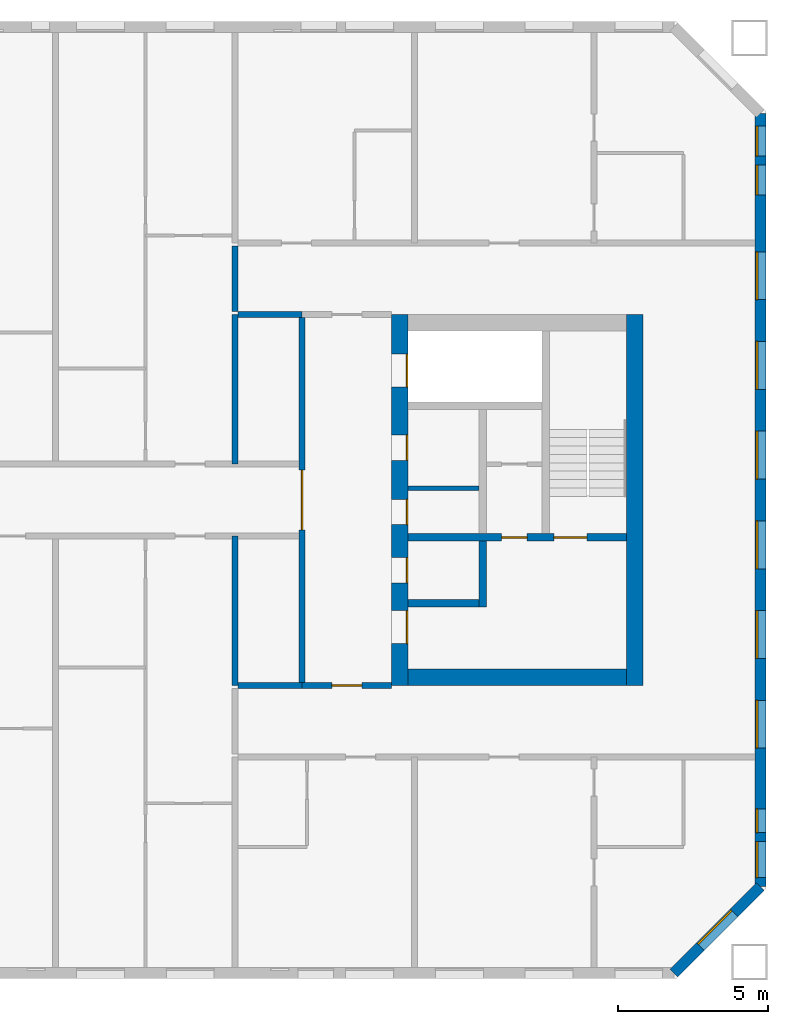
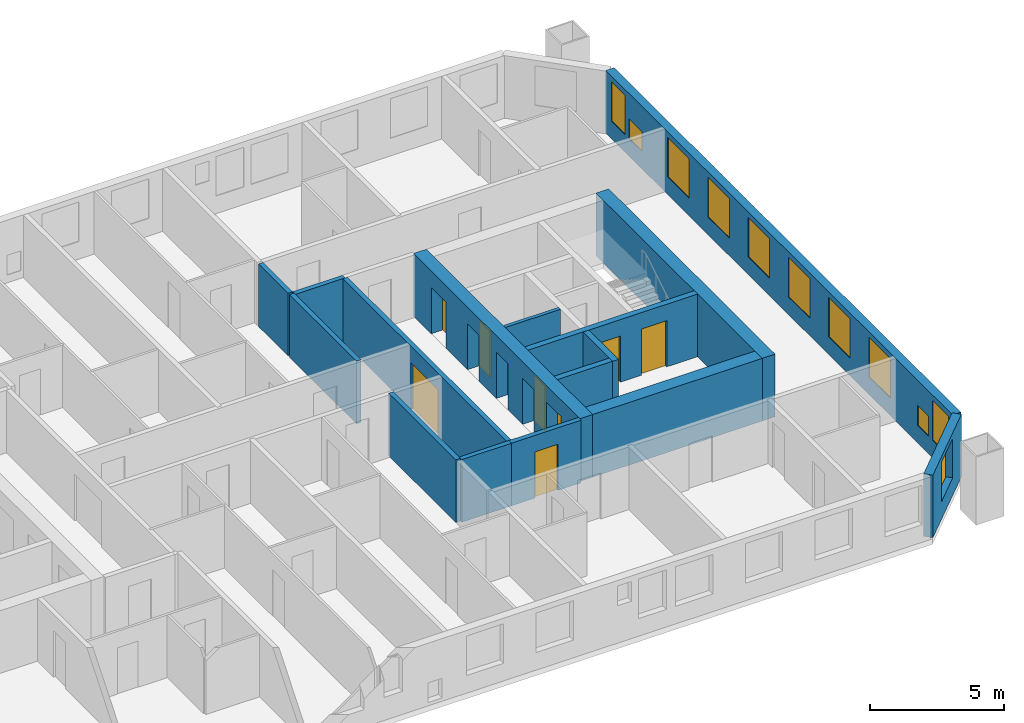
# One storey, part 13 of 16: 16 walls, 11 windows, 9 doors, 20 openings.
"""IFC4 building model written with IfcOpenShell, lengths in metres."""

from ifc_helpers import new_model, si_unit, direction, frame, frame_2d, origin, place, context, subcontext, project, spatial, rectangle, extrude, material, layer, layer_set, type_object, element, fill, save


model = new_model("IFC4")

# Units and contexts
model_context = context("Model", 3, precision=1e-05, world=origin(), true_north=direction((0.0, 1.0)))
body_context = subcontext(model_context, "Body", "Model", "MODEL_VIEW")
ifc_project = project(units=[si_unit("LENGTHUNIT", "METRE"), si_unit("AREAUNIT", "SQUARE_METRE"), si_unit("VOLUMEUNIT", "CUBIC_METRE"), si_unit("PLANEANGLEUNIT", "RADIAN"), si_unit("MASSUNIT", "GRAM", prefix="KILO")], contexts=[model_context])

# Site, building, storey
site_placement = place(None, origin())
site = spatial("IfcSite", under=ifc_project, at=site_placement, CompositionType="ELEMENT")
building_placement = place(site_placement, origin())
building = spatial("IfcBuilding", under=site, at=building_placement, Name="Tuart Gate Housing", CompositionType="ELEMENT")
storey_placement = place(building_placement, frame((0.0, 0.0, 136.10009765625)))
storey = spatial("IfcBuildingStorey", under=building, at=storey_placement, Name="L38", CompositionType="ELEMENT", Elevation=136.10009765625)

# Wall, opening, window
ifc_material_1 = material(Name="Brick", Category="masonry")
ifc_layer_1 = layer(ifc_material_1, 0.360107421875)
ifc_layer_set_1 = layer_set([ifc_layer_1], Name="Brick pier and spandrel wall 360")
wall_type_1 = type_object("IfcWallType", Name="Brick pier and spandrel wall 360", PredefinedType="STANDARD", material=ifc_layer_set_1)
wall_1_placement = place(storey_placement, frame((169.67529296875, 54.179931640625, 0.0), z_axis=(0.0, 0.0, 1.0), x_axis=(0.707106781187, 0.707106781187, 0.0)))
wall_1 = element("IfcWall", 1, at=wall_1_placement, inside=storey, type_object=wall_type_1, Name="External wall B-SE L38", PredefinedType="STANDARD", context=body_context, shape_type="SweptSolid", body=[
    extrude(rectangle(XDim=4.09375, YDim=0.360107421875, at=frame_2d((2.046875, 0.0))), origin(), (0.0, 0.0, 1.0), 2.849853515625),
])
opening_1_placement = place(wall_1_placement, frame((1.2470703125, 0.0, 0.800048828125)))
opening_1 = element("IfcOpeningElement", 2, at=opening_1_placement, cuts=wall_1, Name="Opening W1", PredefinedType="OPENING", context=body_context, shape_type="SweptSolid", body=[
    extrude(rectangle(XDim=1.60009765625, YDim=1.800048828125, at=frame_2d((0.800048828125, 0.89990234375))), frame((0.0, 0.18994140625, 0.0), z_axis=(0.0, -1.0, 0.0), x_axis=(1.0, 0.0, 0.0)), (0.0, 0.0, 1.0), 0.380126953125),
])
ifc_material_2 = material(Name="Aluminium frame with clear glass", Category="aluminium")
window_type_1 = type_object("IfcWindowType", Name="Punched window 1600 x 1800", PartitioningType="SINGLE_PANEL", PredefinedType="WINDOW", material=ifc_material_2)
window_1_placement = place(opening_1_placement, origin())
window_1 = element("IfcWindow", 3, at=window_1_placement, inside=storey, type_object=window_type_1, Name="Window W1", OverallHeight=1.800048828125, OverallWidth=1.60009765625, PartitioningType="SINGLE_PANEL", PredefinedType="WINDOW", context=body_context, shape_type="SweptSolid", body=[
    extrude(rectangle(XDim=1.60009765625, YDim=1.800048828125, at=frame_2d((0.800048828125, 0.89990234375))), frame((0.0, 0.150146484375, 0.0), z_axis=(0.0, -1.0, 0.0), x_axis=(1.0, 0.0, 0.0)), (0.0, 0.0, 1.0), 0.06005859375),
])
fill(opening_1, window_1)

# Wall, openings, windows
wall_2_placement = place(storey_placement, frame((172.570068359375, 57.07470703125, 0.0), z_axis=(0.0, 0.0, 1.0), x_axis=(0.0, 1.0, 0.0)))
wall_2 = element("IfcWall", 4, at=wall_2_placement, inside=storey, type_object=wall_type_1, Name="External wall B-E L38", PredefinedType="STANDARD", context=body_context, shape_type="SweptSolid", body=[
    extrude(rectangle(XDim=25.850830078125, YDim=0.360107421875, at=frame_2d((12.92529296875, 0.0))), origin(), (0.0, 0.0, 1.0), 2.849853515625),
])
opening_2_placement = place(wall_2_placement, frame((0.300048828125, 0.0, 0.800048828125)))
opening_2 = element("IfcOpeningElement", 5, at=opening_2_placement, cuts=wall_2, Name="Opening W1B", PredefinedType="OPENING", context=body_context, shape_type="SweptSolid", body=[
    extrude(rectangle(XDim=1.199951171875, YDim=1.800048828125, at=frame_2d((0.60009765625, 0.89990234375))), frame((0.0, 0.18994140625, 0.0), z_axis=(0.0, -1.0, 0.0), x_axis=(1.0, 0.0, 0.0)), (0.0, 0.0, 1.0), 0.380126953125),
])
opening_3_placement = place(wall_2_placement, frame((4.62548828125, 0.0, 0.800048828125)))
opening_3 = element("IfcOpeningElement", 6, at=opening_3_placement, cuts=wall_2, Name="Opening W1", PredefinedType="OPENING", context=body_context, shape_type="SweptSolid", body=[
    extrude(rectangle(XDim=1.60009765625, YDim=1.800048828125, at=frame_2d((0.800048828125, 0.89990234375))), frame((0.0, 0.18994140625, 0.0), z_axis=(0.0, -1.0, 0.0), x_axis=(1.0, 0.0, 0.0)), (0.0, 0.0, 1.0), 0.380126953125),
])
opening_4_placement = place(wall_2_placement, frame((7.62548828125, 0.0, 0.800048828125)))
opening_4 = element("IfcOpeningElement", 7, at=opening_4_placement, cuts=wall_2, Name="Opening W1", PredefinedType="OPENING", context=body_context, shape_type="SweptSolid", body=[
    extrude(rectangle(XDim=1.60009765625, YDim=1.800048828125, at=frame_2d((0.800048828125, 0.89990234375))), frame((0.0, 0.18994140625, 0.0), z_axis=(0.0, -1.0, 0.0), x_axis=(1.0, 0.0, 0.0)), (0.0, 0.0, 1.0), 0.380126953125),
])
opening_5_placement = place(wall_2_placement, frame((10.62548828125, 0.0, 0.800048828125)))
opening_5 = element("IfcOpeningElement", 8, at=opening_5_placement, cuts=wall_2, Name="Opening W1", PredefinedType="OPENING", context=body_context, shape_type="SweptSolid", body=[
    extrude(rectangle(XDim=1.60009765625, YDim=1.800048828125, at=frame_2d((0.800048828125, 0.89990234375))), frame((0.0, 0.18994140625, 0.0), z_axis=(0.0, -1.0, 0.0), x_axis=(1.0, 0.0, 0.0)), (0.0, 0.0, 1.0), 0.380126953125),
])
opening_6_placement = place(wall_2_placement, frame((13.62548828125, 0.0, 0.800048828125)))
opening_6 = element("IfcOpeningElement", 9, at=opening_6_placement, cuts=wall_2, Name="Opening W1", PredefinedType="OPENING", context=body_context, shape_type="SweptSolid", body=[
    extrude(rectangle(XDim=1.60009765625, YDim=1.800048828125, at=frame_2d((0.800048828125, 0.89990234375))), frame((0.0, 0.18994140625, 0.0), z_axis=(0.0, -1.0, 0.0), x_axis=(1.0, 0.0, 0.0)), (0.0, 0.0, 1.0), 0.380126953125),
])
opening_7_placement = place(wall_2_placement, frame((16.62548828125, 0.0, 0.800048828125)))
opening_7 = element("IfcOpeningElement", 10, at=opening_7_placement, cuts=wall_2, Name="Opening W1", PredefinedType="OPENING", context=body_context, shape_type="SweptSolid", body=[
    extrude(rectangle(XDim=1.60009765625, YDim=1.800048828125, at=frame_2d((0.800048828125, 0.89990234375))), frame((0.0, 0.18994140625, 0.0), z_axis=(0.0, -1.0, 0.0), x_axis=(1.0, 0.0, 0.0)), (0.0, 0.0, 1.0), 0.380126953125),
])
opening_8_placement = place(wall_2_placement, frame((19.62548828125, 0.0, 0.800048828125)))
opening_8 = element("IfcOpeningElement", 11, at=opening_8_placement, cuts=wall_2, Name="Opening W1", PredefinedType="OPENING", context=body_context, shape_type="SweptSolid", body=[
    extrude(rectangle(XDim=1.60009765625, YDim=1.800048828125, at=frame_2d((0.800048828125, 0.89990234375))), frame((0.0, 0.18994140625, 0.0), z_axis=(0.0, -1.0, 0.0), x_axis=(1.0, 0.0, 0.0)), (0.0, 0.0, 1.0), 0.380126953125),
])
opening_9_placement = place(wall_2_placement, frame((23.12548828125, 0.0, 0.800048828125)))
opening_9 = element("IfcOpeningElement", 12, at=opening_9_placement, cuts=wall_2, Name="Opening W1U", PredefinedType="OPENING", context=body_context, shape_type="SweptSolid", body=[
    extrude(rectangle(XDim=1.0, YDim=0.89990234375, at=frame_2d((0.5, 0.449951171875))), frame((0.0, 0.18994140625, 0.0), z_axis=(0.0, -1.0, 0.0), x_axis=(1.0, 0.0, 0.0)), (0.0, 0.0, 1.0), 0.380126953125),
])
opening_10_placement = place(wall_2_placement, frame((1.800048828125, 0.0, 0.800048828125)))
opening_10 = element("IfcOpeningElement", 13, at=opening_10_placement, cuts=wall_2, Name="Opening W1V", PredefinedType="OPENING", context=body_context, shape_type="SweptSolid", body=[
    extrude(rectangle(XDim=0.800048828125, YDim=0.89990234375, at=frame_2d((0.39990234375, 0.449951171875))), frame((0.0, 0.18994140625, 0.0), z_axis=(0.0, -1.0, 0.0), x_axis=(1.0, 0.0, 0.0)), (0.0, 0.0, 1.0), 0.380126953125),
])
opening_11_placement = place(wall_2_placement, frame((24.42529296875, 0.0, 0.800048828125)))
opening_11 = element("IfcOpeningElement", 14, at=opening_11_placement, cuts=wall_2, Name="Opening W1C", PredefinedType="OPENING", context=body_context, shape_type="SweptSolid", body=[
    extrude(rectangle(XDim=1.0, YDim=1.800048828125, at=frame_2d((0.5, 0.89990234375))), frame((0.0, 0.18994140625, 0.0), z_axis=(0.0, -1.0, 0.0), x_axis=(1.0, 0.0, 0.0)), (0.0, 0.0, 1.0), 0.380126953125),
])
ifc_material_3 = material(Name="Aluminium frame with clear glass", Category="aluminium")
window_type_2 = type_object("IfcWindowType", Name="Punched window 1000 x 1800", PartitioningType="SINGLE_PANEL", PredefinedType="WINDOW", material=ifc_material_3)
window_2_placement = place(opening_11_placement, origin())
window_2 = element("IfcWindow", 15, at=window_2_placement, inside=storey, type_object=window_type_2, Name="Window W1C", OverallHeight=1.800048828125, OverallWidth=1.0, PartitioningType="SINGLE_PANEL", PredefinedType="WINDOW", context=body_context, shape_type="SweptSolid", body=[
    extrude(rectangle(XDim=1.0, YDim=1.800048828125, at=frame_2d((0.5, 0.89990234375))), frame((0.0, 0.150146484375, 0.0), z_axis=(0.0, -1.0, 0.0), x_axis=(1.0, 0.0, 0.0)), (0.0, 0.0, 1.0), 0.06005859375),
])
fill(opening_11, window_2)
ifc_material_4 = material(Name="Aluminium frame with clear glass", Category="aluminium")
window_type_3 = type_object("IfcWindowType", Name="Punched window 1000 x 900", PartitioningType="SINGLE_PANEL", PredefinedType="WINDOW", material=ifc_material_4)
window_3_placement = place(opening_9_placement, origin())
window_3 = element("IfcWindow", 16, at=window_3_placement, inside=storey, type_object=window_type_3, Name="Window W1U", OverallHeight=0.89990234375, OverallWidth=1.0, PartitioningType="SINGLE_PANEL", PredefinedType="WINDOW", context=body_context, shape_type="SweptSolid", body=[
    extrude(rectangle(XDim=1.0, YDim=0.89990234375, at=frame_2d((0.5, 0.449951171875))), frame((0.0, 0.150146484375, 0.0), z_axis=(0.0, -1.0, 0.0), x_axis=(1.0, 0.0, 0.0)), (0.0, 0.0, 1.0), 0.06005859375),
])
fill(opening_9, window_3)
ifc_material_5 = material(Name="Aluminium frame with clear glass", Category="aluminium")
window_type_4 = type_object("IfcWindowType", Name="Punched window 1200 x 1800", PartitioningType="SINGLE_PANEL", PredefinedType="WINDOW", material=ifc_material_5)
window_4_placement = place(opening_2_placement, origin())
window_4 = element("IfcWindow", 17, at=window_4_placement, inside=storey, type_object=window_type_4, Name="Window W1B", OverallHeight=1.800048828125, OverallWidth=1.199951171875, PartitioningType="SINGLE_PANEL", PredefinedType="WINDOW", context=body_context, shape_type="SweptSolid", body=[
    extrude(rectangle(XDim=1.199951171875, YDim=1.800048828125, at=frame_2d((0.60009765625, 0.89990234375))), frame((0.0, 0.150146484375, 0.0), z_axis=(0.0, -1.0, 0.0), x_axis=(1.0, 0.0, 0.0)), (0.0, 0.0, 1.0), 0.06005859375),
])
fill(opening_2, window_4)
window_5_placement = place(opening_3_placement, origin())
window_5 = element("IfcWindow", 18, at=window_5_placement, inside=storey, type_object=window_type_1, Name="Window W1", OverallHeight=1.800048828125, OverallWidth=1.60009765625, PartitioningType="SINGLE_PANEL", PredefinedType="WINDOW", context=body_context, shape_type="SweptSolid", body=[
    extrude(rectangle(XDim=1.60009765625, YDim=1.800048828125, at=frame_2d((0.800048828125, 0.89990234375))), frame((0.0, 0.150146484375, 0.0), z_axis=(0.0, -1.0, 0.0), x_axis=(1.0, 0.0, 0.0)), (0.0, 0.0, 1.0), 0.06005859375),
])
fill(opening_3, window_5)
window_6_placement = place(opening_4_placement, origin())
window_6 = element("IfcWindow", 19, at=window_6_placement, inside=storey, type_object=window_type_1, Name="Window W1", OverallHeight=1.800048828125, OverallWidth=1.60009765625, PartitioningType="SINGLE_PANEL", PredefinedType="WINDOW", context=body_context, shape_type="SweptSolid", body=[
    extrude(rectangle(XDim=1.60009765625, YDim=1.800048828125, at=frame_2d((0.800048828125, 0.89990234375))), frame((0.0, 0.150146484375, 0.0), z_axis=(0.0, -1.0, 0.0), x_axis=(1.0, 0.0, 0.0)), (0.0, 0.0, 1.0), 0.06005859375),
])
fill(opening_4, window_6)
window_7_placement = place(opening_5_placement, origin())
window_7 = element("IfcWindow", 20, at=window_7_placement, inside=storey, type_object=window_type_1, Name="Window W1", OverallHeight=1.800048828125, OverallWidth=1.60009765625, PartitioningType="SINGLE_PANEL", PredefinedType="WINDOW", context=body_context, shape_type="SweptSolid", body=[
    extrude(rectangle(XDim=1.60009765625, YDim=1.800048828125, at=frame_2d((0.800048828125, 0.89990234375))), frame((0.0, 0.150146484375, 0.0), z_axis=(0.0, -1.0, 0.0), x_axis=(1.0, 0.0, 0.0)), (0.0, 0.0, 1.0), 0.06005859375),
])
fill(opening_5, window_7)
window_8_placement = place(opening_6_placement, origin())
window_8 = element("IfcWindow", 21, at=window_8_placement, inside=storey, type_object=window_type_1, Name="Window W1", OverallHeight=1.800048828125, OverallWidth=1.60009765625, PartitioningType="SINGLE_PANEL", PredefinedType="WINDOW", context=body_context, shape_type="SweptSolid", body=[
    extrude(rectangle(XDim=1.60009765625, YDim=1.800048828125, at=frame_2d((0.800048828125, 0.89990234375))), frame((0.0, 0.150146484375, 0.0), z_axis=(0.0, -1.0, 0.0), x_axis=(1.0, 0.0, 0.0)), (0.0, 0.0, 1.0), 0.06005859375),
])
fill(opening_6, window_8)
window_9_placement = place(opening_7_placement, origin())
window_9 = element("IfcWindow", 22, at=window_9_placement, inside=storey, type_object=window_type_1, Name="Window W1", OverallHeight=1.800048828125, OverallWidth=1.60009765625, PartitioningType="SINGLE_PANEL", PredefinedType="WINDOW", context=body_context, shape_type="SweptSolid", body=[
    extrude(rectangle(XDim=1.60009765625, YDim=1.800048828125, at=frame_2d((0.800048828125, 0.89990234375))), frame((0.0, 0.150146484375, 0.0), z_axis=(0.0, -1.0, 0.0), x_axis=(1.0, 0.0, 0.0)), (0.0, 0.0, 1.0), 0.06005859375),
])
fill(opening_7, window_9)
window_10_placement = place(opening_8_placement, origin())
window_10 = element("IfcWindow", 23, at=window_10_placement, inside=storey, type_object=window_type_1, Name="Window W1", OverallHeight=1.800048828125, OverallWidth=1.60009765625, PartitioningType="SINGLE_PANEL", PredefinedType="WINDOW", context=body_context, shape_type="SweptSolid", body=[
    extrude(rectangle(XDim=1.60009765625, YDim=1.800048828125, at=frame_2d((0.800048828125, 0.89990234375))), frame((0.0, 0.150146484375, 0.0), z_axis=(0.0, -1.0, 0.0), x_axis=(1.0, 0.0, 0.0)), (0.0, 0.0, 1.0), 0.06005859375),
])
fill(opening_8, window_10)
ifc_material_6 = material(Name="Aluminium frame with clear glass", Category="aluminium")
window_type_5 = type_object("IfcWindowType", Name="Punched window 800 x 900", PartitioningType="SINGLE_PANEL", PredefinedType="WINDOW", material=ifc_material_6)
window_11_placement = place(opening_10_placement, origin())
window_11 = element("IfcWindow", 24, at=window_11_placement, inside=storey, type_object=window_type_5, Name="Window W1V", OverallHeight=0.89990234375, OverallWidth=0.800048828125, PartitioningType="SINGLE_PANEL", PredefinedType="WINDOW", context=body_context, shape_type="SweptSolid", body=[
    extrude(rectangle(XDim=0.800048828125, YDim=0.89990234375, at=frame_2d((0.39990234375, 0.449951171875))), frame((0.0, 0.150146484375, 0.0), z_axis=(0.0, -1.0, 0.0), x_axis=(1.0, 0.0, 0.0)), (0.0, 0.0, 1.0), 0.06005859375),
])
fill(opening_10, window_11)

# Wall
ifc_material_7 = material(Name="Plasterboard partition")
ifc_layer_2 = layer(ifc_material_7, 0.14990234375)
ifc_layer_set_2 = layer_set([ifc_layer_2], Name="Core partition 150")
wall_type_2 = type_object("IfcWallType", Name="Core partition 150", PredefinedType="PARTITIONING", material=ifc_layer_set_2)
wall_3_placement = place(storey_placement, frame((160.7900390625, 70.39990234375, 0.0), z_axis=(0.0, 0.0, 1.0), x_axis=(1.0, 0.0, 0.0)))
element("IfcWall", 25, at=wall_3_placement, inside=storey, type_object=wall_type_2, Name="Core partition BK.3", PredefinedType="PARTITIONING", context=body_context, shape_type="SweptSolid", body=[
    extrude(rectangle(XDim=2.375, YDim=0.14990234375, at=frame_2d((1.1875, 0.0))), origin(), (0.0, 0.0, 1.0), 2.849853515625),
])

# Wall, openings, doors
ifc_material_8 = material(Name="Concrete C50", Category="concrete")
ifc_layer_3 = layer(ifc_material_8, 0.25)
ifc_layer_set_3 = layer_set([ifc_layer_3], Name="Core wall 250 C50")
wall_type_3 = type_object("IfcWallType", Name="Core wall 250 C50", PredefinedType="SHEAR", material=ifc_layer_set_3)
wall_4_placement = place(storey_placement, frame((160.7900390625, 68.75, 0.0), z_axis=(0.0, 0.0, 1.0), x_axis=(1.0, 0.0, 0.0)))
wall_4 = element("IfcWall", 26, at=wall_4_placement, inside=storey, type_object=wall_type_3, Name="Core wall BK.4", PredefinedType="SHEAR", context=body_context, shape_type="SweptSolid", body=[
    extrude(rectangle(XDim=7.300048828125, YDim=0.25, at=frame_2d((3.64990234375, 0.0))), origin(), (0.0, 0.0, 1.0), 2.849853515625),
])
opening_12_placement = place(wall_4_placement, frame((4.875, 0.0, 0.0)))
opening_12 = element("IfcOpeningElement", 27, at=opening_12_placement, cuts=wall_4, Name="Opening D1498", PredefinedType="OPENING", context=body_context, shape_type="SweptSolid", body=[
    extrude(rectangle(XDim=1.10009765625, YDim=2.10009765625, at=frame_2d((0.550048828125, 1.050048828125))), frame((0.0, 0.135009765625, 0.0), z_axis=(0.0, -1.0, 0.0), x_axis=(1.0, 0.0, 0.0)), (0.0, 0.0, 1.0), 0.27001953125),
])
opening_13_placement = place(wall_4_placement, frame((3.125, 0.0, 0.0)))
opening_13 = element("IfcOpeningElement", 28, at=opening_13_placement, cuts=wall_4, Name="Opening D1497", PredefinedType="OPENING", context=body_context, shape_type="SweptSolid", body=[
    extrude(rectangle(XDim=0.85009765625, YDim=2.10009765625, at=frame_2d((0.425048828125, 1.050048828125))), frame((0.0, 0.135009765625, 0.0), z_axis=(0.0, -1.0, 0.0), x_axis=(1.0, 0.0, 0.0)), (0.0, 0.0, 1.0), 0.27001953125),
])
ifc_material_9 = material(Name="Steel fire door", Category="steel")
door_type_1 = type_object("IfcDoorType", Name="Riser door 850 x 2100", OperationType="SINGLE_SWING_LEFT", PredefinedType="DOOR", material=ifc_material_9)
door_1_placement = place(opening_13_placement, origin())
door_1 = element("IfcDoor", 29, at=door_1_placement, inside=storey, type_object=door_type_1, Name="Service room door BK.W1", OperationType="SINGLE_SWING_LEFT", OverallHeight=2.10009765625, OverallWidth=0.85009765625, PredefinedType="DOOR", context=body_context, shape_type="SweptSolid", body=[
    extrude(rectangle(XDim=0.85009765625, YDim=2.10009765625, at=frame_2d((0.425048828125, 1.050048828125))), frame((0.0, 0.02490234375, 0.0), z_axis=(0.0, -1.0, 0.0), x_axis=(1.0, 0.0, 0.0)), (0.0, 0.0, 1.0), 0.050048828125),
])
fill(opening_13, door_1)
ifc_material_10 = material(Name="Steel fire door", Category="steel")
door_type_2 = type_object("IfcDoorType", Name="Stair door 1100 x 2100", OperationType="SINGLE_SWING_LEFT", PredefinedType="DOOR", material=ifc_material_10)
door_2_placement = place(opening_12_placement, origin())
door_2 = element("IfcDoor", 30, at=door_2_placement, inside=storey, type_object=door_type_2, Name="Stair door BK.SD", OperationType="SINGLE_SWING_LEFT", OverallHeight=2.10009765625, OverallWidth=1.10009765625, PredefinedType="DOOR", context=body_context, shape_type="SweptSolid", body=[
    extrude(rectangle(XDim=1.10009765625, YDim=2.10009765625, at=frame_2d((0.550048828125, 1.050048828125))), frame((0.0, 0.02490234375, 0.0), z_axis=(0.0, -1.0, 0.0), x_axis=(1.0, 0.0, 0.0)), (0.0, 0.0, 1.0), 0.050048828125),
])
fill(opening_12, door_2)

# Walls
wall_5_placement = place(storey_placement, frame((160.7900390625, 66.550048828125, 0.0), z_axis=(0.0, 0.0, 1.0), x_axis=(1.0, 0.0, 0.0)))
element("IfcWall", 31, at=wall_5_placement, inside=storey, type_object=wall_type_3, Name="Core wall BK.5", PredefinedType="SHEAR", context=body_context, shape_type="SweptSolid", body=[
    extrude(rectangle(XDim=2.375, YDim=0.25, at=frame_2d((1.1875, 0.0))), origin(), (0.0, 0.0, 1.0), 2.849853515625),
])
wall_6_placement = place(storey_placement, frame((163.2900390625, 68.625, 0.0), z_axis=(0.0, 0.0, 1.0), x_axis=(0.0, -1.0, 0.0)))
element("IfcWall", 32, at=wall_6_placement, inside=storey, type_object=wall_type_3, Name="Core wall BK.7", PredefinedType="SHEAR", context=body_context, shape_type="SweptSolid", body=[
    extrude(rectangle(XDim=2.199951171875, YDim=0.25, at=frame_2d((1.10009765625, 0.0))), origin(), (0.0, 0.0, 1.0), 2.849853515625),
])

# Wall, openings, doors
ifc_material_11 = material(Name="Concrete C50", Category="concrete")
ifc_layer_4 = layer(ifc_material_11, 0.550048828125)
ifc_layer_set_4 = layer_set([ifc_layer_4], Name="Core wall 550 C50")
wall_type_4 = type_object("IfcWallType", Name="Core wall 550 C50", PredefinedType="SHEAR", material=ifc_layer_set_4)
wall_7_placement = place(storey_placement, frame((160.514892578125, 76.199951171875, 0.0), z_axis=(0.0, 0.0, 1.0), x_axis=(0.0, -1.0, 0.0)))
wall_7 = element("IfcWall", 33, at=wall_7_placement, inside=storey, type_object=wall_type_4, Name="Core wall BK front", PredefinedType="SHEAR", context=body_context, shape_type="SweptSolid", body=[
    extrude(rectangle(XDim=12.39990234375, YDim=0.550048828125, at=frame_2d((6.199951171875, 0.0))), origin(), (0.0, 0.0, 1.0), 2.849853515625),
])
opening_14_placement = place(wall_7_placement, frame((1.324951171875, 0.0, 0.0)))
opening_14 = element("IfcOpeningElement", 34, at=opening_14_placement, cuts=wall_7, Name="Opening LD-FB2", PredefinedType="OPENING", context=body_context, shape_type="SweptSolid", body=[
    extrude(rectangle(XDim=1.10009765625, YDim=2.10009765625, at=frame_2d((0.550048828125, 1.050048828125))), frame((0.0, 0.284912109375, 0.0), z_axis=(0.0, -1.0, 0.0), x_axis=(1.0, 0.0, 0.0)), (0.0, 0.0, 1.0), 0.570068359375),
])
opening_15_placement = place(wall_7_placement, frame((4.02490234375, 0.0, 0.0)))
opening_15 = element("IfcOpeningElement", 35, at=opening_15_placement, cuts=wall_7, Name="Opening D1492", PredefinedType="OPENING", context=body_context, shape_type="SweptSolid", body=[
    extrude(rectangle(XDim=0.85009765625, YDim=2.10009765625, at=frame_2d((0.425048828125, 1.050048828125))), frame((0.0, 0.284912109375, 0.0), z_axis=(0.0, -1.0, 0.0), x_axis=(1.0, 0.0, 0.0)), (0.0, 0.0, 1.0), 0.570068359375),
])
opening_16_placement = place(wall_7_placement, frame((6.175048828125, 0.0, 0.0)))
opening_16 = element("IfcOpeningElement", 36, at=opening_16_placement, cuts=wall_7, Name="Opening D1493", PredefinedType="OPENING", context=body_context, shape_type="SweptSolid", body=[
    extrude(rectangle(XDim=0.85009765625, YDim=2.10009765625, at=frame_2d((0.425048828125, 1.050048828125))), frame((0.0, 0.284912109375, 0.0), z_axis=(0.0, -1.0, 0.0), x_axis=(1.0, 0.0, 0.0)), (0.0, 0.0, 1.0), 0.570068359375),
])
opening_17_placement = place(wall_7_placement, frame((9.89990234375, 0.0, 0.0)))
opening_17 = element("IfcOpeningElement", 37, at=opening_17_placement, cuts=wall_7, Name="Opening D1491", PredefinedType="OPENING", context=body_context, shape_type="SweptSolid", body=[
    extrude(rectangle(XDim=1.10009765625, YDim=2.10009765625, at=frame_2d((0.550048828125, 1.050048828125))), frame((0.0, 0.284912109375, 0.0), z_axis=(0.0, -1.0, 0.0), x_axis=(1.0, 0.0, 0.0)), (0.0, 0.0, 1.0), 0.570068359375),
])
opening_18_placement = place(wall_7_placement, frame((8.125, 0.0, 0.0)))
opening_18 = element("IfcOpeningElement", 38, at=opening_18_placement, cuts=wall_7, Name="Opening D1494", PredefinedType="OPENING", context=body_context, shape_type="SweptSolid", body=[
    extrude(rectangle(XDim=0.85009765625, YDim=2.10009765625, at=frame_2d((0.425048828125, 1.050048828125))), frame((0.0, 0.284912109375, 0.0), z_axis=(0.0, -1.0, 0.0), x_axis=(1.0, 0.0, 0.0)), (0.0, 0.0, 1.0), 0.570068359375),
])
ifc_material_12 = material(Name="Stainless steel", Category="steel")
door_type_3 = type_object("IfcDoorType", Name="Landing door 1100 x 2100", OperationType="DOUBLE_DOOR_SLIDING", PredefinedType="DOOR", material=ifc_material_12)
door_3_placement = place(opening_14_placement, origin())
door_3 = element("IfcDoor", 39, at=door_3_placement, inside=storey, type_object=door_type_3, Name="Lift landing door FB2", OperationType="DOUBLE_DOOR_SLIDING", OverallHeight=2.10009765625, OverallWidth=1.10009765625, PredefinedType="DOOR", context=body_context, shape_type="SweptSolid", body=[
    extrude(rectangle(XDim=1.10009765625, YDim=2.10009765625, at=frame_2d((0.550048828125, 1.050048828125))), frame((0.0, 0.26025390625, 0.0), z_axis=(0.0, -1.0, 0.0), x_axis=(1.0, 0.0, 0.0)), (0.0, 0.0, 1.0), 0.050048828125),
])
fill(opening_14, door_3)
ifc_material_13 = material(Name="Steel fire door", Category="steel")
door_type_4 = type_object("IfcDoorType", Name="Lobby door 1100 x 2100", OperationType="SINGLE_SWING_LEFT", PredefinedType="DOOR", material=ifc_material_13)
door_4_placement = place(opening_17_placement, origin())
door_4 = element("IfcDoor", 40, at=door_4_placement, inside=storey, type_object=door_type_4, Name="Lobby entry door BK.EN", OperationType="SINGLE_SWING_LEFT", OverallHeight=2.10009765625, OverallWidth=1.10009765625, PredefinedType="DOOR", context=body_context, shape_type="SweptSolid", body=[
    extrude(rectangle(XDim=1.10009765625, YDim=2.10009765625, at=frame_2d((0.550048828125, 1.050048828125))), frame((0.0, 0.26025390625, 0.0), z_axis=(0.0, -1.0, 0.0), x_axis=(1.0, 0.0, 0.0)), (0.0, 0.0, 1.0), 0.050048828125),
])
fill(opening_17, door_4)
ifc_material_14 = material(Name="Steel fire door", Category="steel")
door_type_5 = type_object("IfcDoorType", Name="Service door 850 x 2100", OperationType="SINGLE_SWING_LEFT", PredefinedType="DOOR", material=ifc_material_14)
door_5_placement = place(opening_15_placement, origin())
door_5 = element("IfcDoor", 41, at=door_5_placement, inside=storey, type_object=door_type_5, Name="Service room door BK.FR1", OperationType="SINGLE_SWING_LEFT", OverallHeight=2.10009765625, OverallWidth=0.85009765625, PredefinedType="DOOR", context=body_context, shape_type="SweptSolid", body=[
    extrude(rectangle(XDim=0.85009765625, YDim=2.10009765625, at=frame_2d((0.425048828125, 1.050048828125))), frame((0.0, 0.26025390625, 0.0), z_axis=(0.0, -1.0, 0.0), x_axis=(1.0, 0.0, 0.0)), (0.0, 0.0, 1.0), 0.050048828125),
])
fill(opening_15, door_5)
door_6_placement = place(opening_16_placement, origin())
door_6 = element("IfcDoor", 42, at=door_6_placement, inside=storey, type_object=door_type_5, Name="Service room door BK.FR2", OperationType="SINGLE_SWING_LEFT", OverallHeight=2.10009765625, OverallWidth=0.85009765625, PredefinedType="DOOR", context=body_context, shape_type="SweptSolid", body=[
    extrude(rectangle(XDim=0.85009765625, YDim=2.10009765625, at=frame_2d((0.425048828125, 1.050048828125))), frame((0.0, 0.26025390625, 0.0), z_axis=(0.0, -1.0, 0.0), x_axis=(1.0, 0.0, 0.0)), (0.0, 0.0, 1.0), 0.050048828125),
])
fill(opening_16, door_6)
door_7_placement = place(opening_18_placement, origin())
door_7 = element("IfcDoor", 43, at=door_7_placement, inside=storey, type_object=door_type_5, Name="Service room door BK.T1", OperationType="SINGLE_SWING_LEFT", OverallHeight=2.10009765625, OverallWidth=0.85009765625, PredefinedType="DOOR", context=body_context, shape_type="SweptSolid", body=[
    extrude(rectangle(XDim=0.85009765625, YDim=2.10009765625, at=frame_2d((0.425048828125, 1.050048828125))), frame((0.0, 0.26025390625, 0.0), z_axis=(0.0, -1.0, 0.0), x_axis=(1.0, 0.0, 0.0)), (0.0, 0.0, 1.0), 0.050048828125),
])
fill(opening_18, door_7)

# Walls
wall_8_placement = place(storey_placement, frame((168.364990234375, 76.199951171875, 0.0), z_axis=(0.0, 0.0, 1.0), x_axis=(0.0, -1.0, 0.0)))
element("IfcWall", 44, at=wall_8_placement, inside=storey, type_object=wall_type_4, Name="Core wall BK back", PredefinedType="SHEAR", context=body_context, shape_type="SweptSolid", body=[
    extrude(rectangle(XDim=12.39990234375, YDim=0.550048828125, at=frame_2d((6.199951171875, 0.0))), origin(), (0.0, 0.0, 1.0), 2.849853515625),
])
wall_9_placement = place(storey_placement, frame((160.7900390625, 64.074951171875, 0.0), z_axis=(0.0, 0.0, 1.0), x_axis=(1.0, 0.0, 0.0)))
element("IfcWall", 45, at=wall_9_placement, inside=storey, type_object=wall_type_4, Name="Core wall BK north", PredefinedType="SHEAR", context=body_context, shape_type="SweptSolid", body=[
    extrude(rectangle(XDim=7.300048828125, YDim=0.550048828125, at=frame_2d((3.64990234375, 0.0))), origin(), (0.0, 0.0, 1.0), 2.849853515625),
])
ifc_material_15 = material(Name="Concrete masonry 15 MPa", Category="masonry")
ifc_layer_5 = layer(ifc_material_15, 0.199951171875)
ifc_layer_set_5 = layer_set([ifc_layer_5], Name="Corridor wall masonry 200")
wall_type_5 = type_object("IfcWallType", Name="Corridor wall masonry 200", PredefinedType="PARTITIONING", material=ifc_layer_set_5)
for number, where, z_axis, x_axis, name in (
    (46, (155.10009765625, 63.800048828125, 0.0), (0.0, 0.0, 1.0), (1.0, 0.0, 0.0), "Corridor wall masonry 200"),
    (47, (155.10009765625, 76.199951171875, 0.0), (0.0, 0.0, 1.0), (1.0, 0.0, 0.0), "Corridor wall masonry 200"),
):
    element("IfcWall", number, at=place(storey_placement, frame(where, z_axis=z_axis, x_axis=x_axis)), inside=storey, type_object=wall_type_5, Name=name, PredefinedType="PARTITIONING", context=body_context, shape_type="SweptSolid", body=[
        extrude(rectangle(XDim=2.139892578125, YDim=0.199951171875, at=frame_2d((1.06982421875, 0.0))), origin(), (0.0, 0.0, 1.0), 2.849853515625),
    ])
wall_10_placement = place(storey_placement, frame((155.0, 76.300048828125, 0.0), z_axis=(0.0, 0.0, 1.0), x_axis=(0.0, 1.0, 0.0)))
element("IfcWall", 48, at=wall_10_placement, inside=storey, type_object=wall_type_5, Name="Corridor wall masonry 200", PredefinedType="PARTITIONING", context=body_context, shape_type="SweptSolid", body=[
    extrude(rectangle(XDim=2.199951171875, YDim=0.199951171875, at=frame_2d((1.10009765625, 0.0))), origin(), (0.0, 0.0, 1.0), 2.849853515625),
])

# Wall, opening, door
ifc_material_16 = material(Name="Concrete masonry 15 MPa", Category="masonry")
ifc_layer_6 = layer(ifc_material_16, 0.199951171875)
ifc_layer_set_6 = layer_set([ifc_layer_6], Name="Enclosure wall masonry 200")
wall_type_6 = type_object("IfcWallType", Name="Enclosure wall masonry 200", PredefinedType="PARTITIONING", material=ifc_layer_set_6)
wall_11_placement = place(storey_placement, frame((157.239990234375, 63.800048828125, 0.0), z_axis=(0.0, 0.0, 1.0), x_axis=(1.0, 0.0, 0.0)))
wall_11 = element("IfcWall", 49, at=wall_11_placement, inside=storey, type_object=wall_type_6, Name="Enclosure wall masonry 200", PredefinedType="PARTITIONING", context=body_context, shape_type="SweptSolid", body=[
    extrude(rectangle(XDim=3.0, YDim=0.199951171875, at=frame_2d((1.5, 0.0))), origin(), (0.0, 0.0, 1.0), 2.849853515625),
])
opening_19_placement = place(wall_11_placement, frame((1.0, 0.0, 0.0)))
opening_19 = element("IfcOpeningElement", 50, at=opening_19_placement, cuts=wall_11, Name="Opening D1500", PredefinedType="OPENING", context=body_context, shape_type="SweptSolid", body=[
    extrude(rectangle(XDim=1.0, YDim=2.10009765625, at=frame_2d((0.5, 1.050048828125))), frame((0.0, 0.10986328125, 0.0), z_axis=(0.0, -1.0, 0.0), x_axis=(1.0, 0.0, 0.0)), (0.0, 0.0, 1.0), 0.219970703125),
])
ifc_material_17 = material(Name="Timber door leaf in steel frame", Category="steel")
door_type_6 = type_object("IfcDoorType", Name="Fire door 1000 RH", OperationType="SINGLE_SWING_RIGHT", PredefinedType="DOOR", material=ifc_material_17)
door_8_placement = place(opening_19_placement, frame((1.0, 0.0, 0.0), z_axis=(0.0, 0.0, 1.0), x_axis=(-1.0, 0.0, 0.0)))
door_8 = element("IfcDoor", 51, at=door_8_placement, inside=storey, type_object=door_type_6, Name="Fire door", OperationType="SINGLE_SWING_RIGHT", OverallHeight=2.10009765625, OverallWidth=1.0, PredefinedType="DOOR", context=body_context, shape_type="SweptSolid", body=[
    extrude(rectangle(XDim=1.0, YDim=2.10009765625, at=frame_2d((0.5, 1.050048828125))), frame((0.0, 0.025146484375, 0.0), z_axis=(0.0, -1.0, 0.0), x_axis=(1.0, 0.0, 0.0)), (0.0, 0.0, 1.0), 0.050048828125),
])
fill(opening_19, door_8)

ifc_material_18 = material(Name="Plasterboard partition")
ifc_layer_7 = layer(ifc_material_18, 0.199951171875)
ifc_layer_set_7 = layer_set([ifc_layer_7], Name="Lobby wall 200")
wall_type_7 = type_object("IfcWallType", Name="Lobby wall 200", PredefinedType="PARTITIONING", material=ifc_layer_set_7)
wall_12_placement = place(storey_placement, frame((157.239990234375, 63.89990234375, 0.0), z_axis=(0.0, 0.0, 1.0), x_axis=(0.0, 1.0, 0.0)))
wall_12 = element("IfcWall", 52, at=wall_12_placement, inside=storey, type_object=wall_type_7, Name="Lift lobby wall BK", PredefinedType="PARTITIONING", context=body_context, shape_type="SweptSolid", body=[
    extrude(rectangle(XDim=12.2001953125, YDim=0.199951171875, at=frame_2d((6.10009765625, 0.0))), origin(), (0.0, 0.0, 1.0), 2.849853515625),
])
opening_20_placement = place(wall_12_placement, frame((5.10009765625, 0.0, 0.0)))
opening_20 = element("IfcOpeningElement", 53, at=opening_20_placement, cuts=wall_12, Name="Opening D1490", PredefinedType="OPENING", context=body_context, shape_type="SweptSolid", body=[
    extrude(rectangle(XDim=2.0, YDim=2.10009765625, at=frame_2d((1.0, 1.050048828125))), frame((0.0, 0.10986328125, 0.0), z_axis=(0.0, -1.0, 0.0), x_axis=(1.0, 0.0, 0.0)), (0.0, 0.0, 1.0), 0.219970703125),
])
ifc_material_19 = material(Name="Steel fire door", Category="steel")
door_type_7 = type_object("IfcDoorType", Name="Smoke door 2000 x 2100", OperationType="DOUBLE_DOOR_SINGLE_SWING", PredefinedType="DOOR", material=ifc_material_19)
door_9_placement = place(opening_20_placement, frame((2.0, 0.0, 0.0), z_axis=(0.0, 0.0, 1.0), x_axis=(-1.0, 0.0, 0.0)))
door_9 = element("IfcDoor", 54, at=door_9_placement, inside=storey, type_object=door_type_7, Name="Lift lobby smoke door BK", OperationType="DOUBLE_DOOR_SINGLE_SWING", OverallHeight=2.10009765625, OverallWidth=2.0, PredefinedType="DOOR", context=body_context, shape_type="SweptSolid", body=[
    extrude(rectangle(XDim=2.0, YDim=2.10009765625, at=frame_2d((1.0, 1.050048828125))), frame((0.0, 0.025146484375, 0.0), z_axis=(0.0, -1.0, 0.0), x_axis=(1.0, 0.0, 0.0)), (0.0, 0.0, 1.0), 0.050048828125),
])
fill(opening_20, door_9)

# Walls
ifc_material_20 = material(Name="Concrete C40", Category="concrete")
ifc_layer_8 = layer(ifc_material_20, 0.199951171875)
ifc_layer_set_8 = layer_set([ifc_layer_8], Name="Party wall concrete C40 200")
wall_type_8 = type_object("IfcWallType", Name="Party wall concrete C40 200", PredefinedType="SOLIDWALL", material=ifc_layer_set_8)
for number, where, z_axis, x_axis, name in (
    (55, (155.0, 63.800048828125, 0.0), (0.0, 0.0, 1.0), (0.0, 1.0, 0.0), "Party wall concrete C40 200"),
    (56, (155.0, 71.199951171875, 0.0), (0.0, 0.0, 1.0), (0.0, 1.0, 0.0), "Party wall concrete C40 200"),
):
    element("IfcWall", number, at=place(storey_placement, frame(where, z_axis=z_axis, x_axis=x_axis)), inside=storey, type_object=wall_type_8, Name=name, PredefinedType="SOLIDWALL", context=body_context, shape_type="SweptSolid", body=[
        extrude(rectangle(XDim=5.0, YDim=0.199951171875, at=frame_2d((2.5, 0.0))), origin(), (0.0, 0.0, 1.0), 2.849853515625),
    ])

save(model, "model.ifc")
